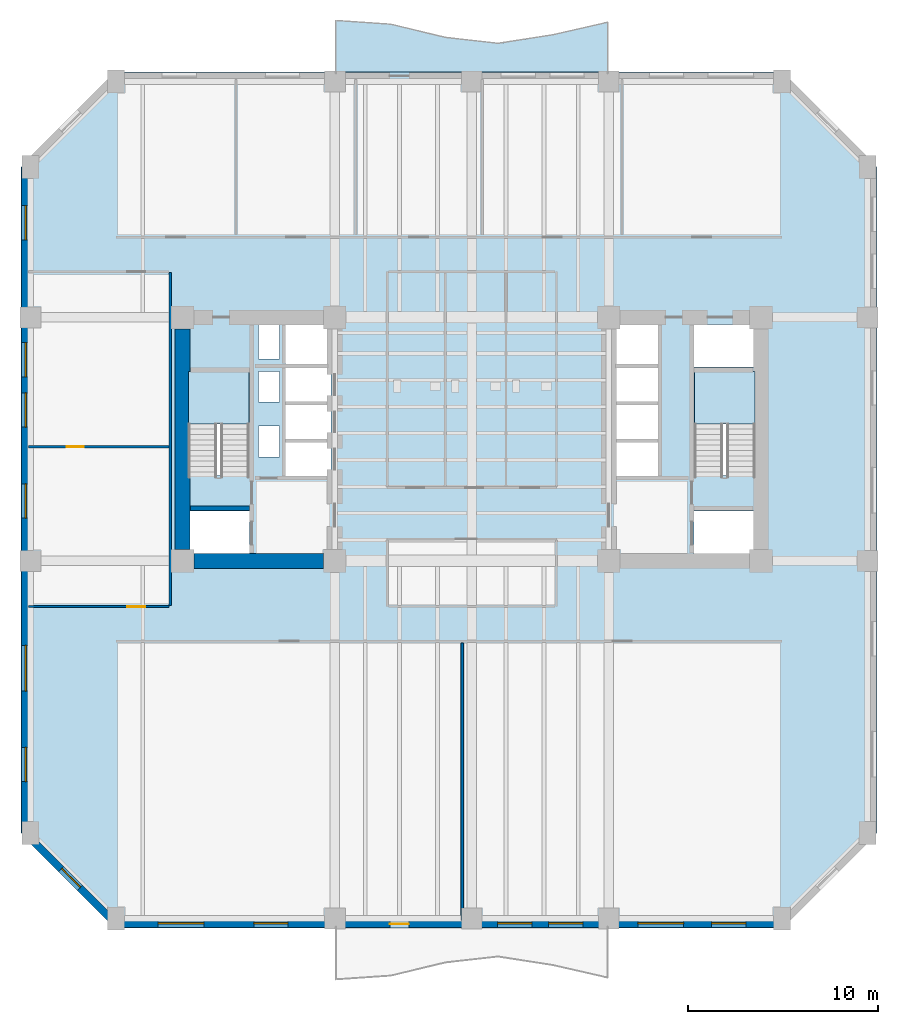
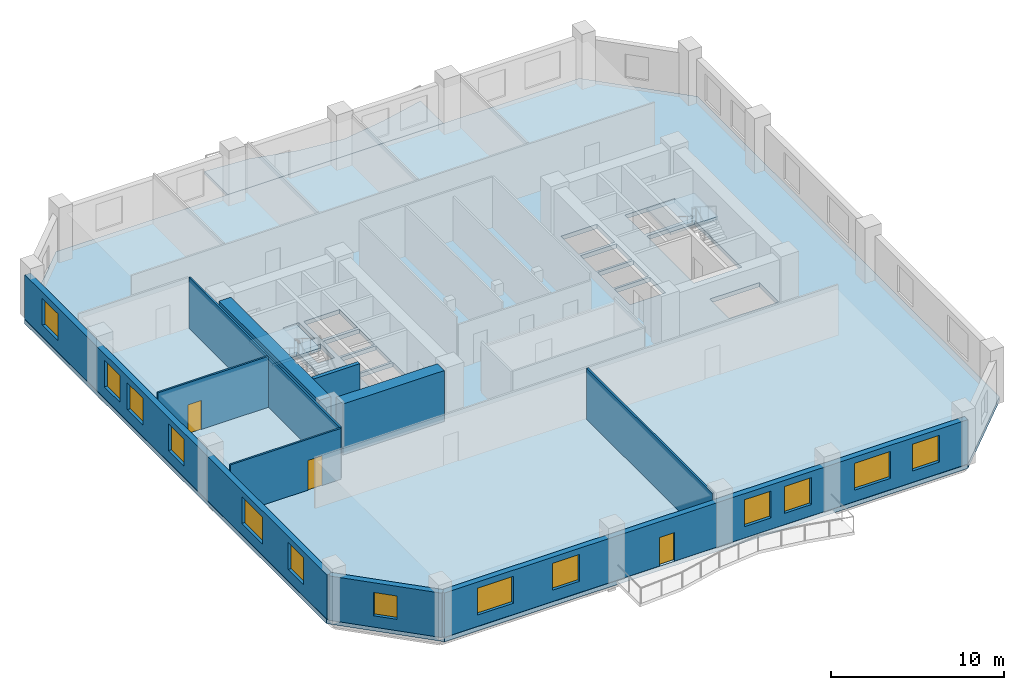
# One storey, part 2 of 9: 13 windows, 10 walls, 4 slabs, 3 doors, 16 openings, 2 elements without a shape of their own.
"""IFC4 building model written with IfcOpenShell, lengths in metres."""

from ifc_helpers import new_model, si_unit, direction, frame, frame_2d, origin, place, context, subcontext, project, spatial, polyline, rectangle, outline, extrude, material, layer, layer_set, type_object, element, fill, aggregate, save


model = new_model("IFC4")

# Units and contexts
model_context = context("Model", 3, precision=1e-05, world=origin(), true_north=direction((0.0, 1.0)))
body_context = subcontext(model_context, "Body", "Model", "MODEL_VIEW")
ifc_project = project(units=[si_unit("LENGTHUNIT", "METRE"), si_unit("AREAUNIT", "SQUARE_METRE"), si_unit("VOLUMEUNIT", "CUBIC_METRE"), si_unit("PLANEANGLEUNIT", "RADIAN"), si_unit("MASSUNIT", "GRAM", prefix="KILO")], contexts=[model_context])

# Site, building, storey
site_placement = place(None, origin())
site = spatial("IfcSite", under=ifc_project, at=site_placement, CompositionType="ELEMENT")
building_placement = place(site_placement, origin())
building = spatial("IfcBuilding", under=site, at=building_placement, Name="Kranthara Brick Stack", CompositionType="ELEMENT")
storey_placement = place(building_placement, frame((0.0, 0.0, 28.199951171875)))
storey = spatial("IfcBuildingStorey", under=building, at=storey_placement, Name="L06", CompositionType="ELEMENT", Elevation=28.199951171875)

# Slab
ifc_material_1 = material(Name="Concrete C45/55", Category="concrete")
ifc_layer_1 = layer(ifc_material_1, 0.219970703125)
ifc_layer_set_1 = layer_set([ifc_layer_1], Name="Concrete C45/55")
slab_type_1 = type_object("IfcSlabType", Name="SLB-BALC-220", PredefinedType="FLOOR", material=ifc_layer_set_1)
slab_1_placement = place(storey_placement, frame((0.0, 0.0, -0.219970703125)))
element("IfcSlab", 1, at=slab_1_placement, inside=storey, type_object=slab_type_1, Name="L06 North Rippling Balcony Slab", PredefinedType="FLOOR", context=body_context, shape_type="SweptSolid", body=[
    extrude(outline(polyline([(35.199951171875, 46.5), (20.800048828125, 46.5), (20.800048828125, 49.219482421875), (23.679931640625, 49.02490234375), (26.56005859375, 48.32763671875), (29.43994140625, 48.004150390625), (32.320068359375, 48.461669921875), (35.199951171875, 49.12451171875), (35.199951171875, 46.5)])), origin(), (0.0, 0.0, 1.0), 0.219970703125),
])

# Stair, slab
ifc_material_2 = material(Name="Concrete C45/55", Category="concrete")
stair_type = type_object("IfcStairType", Name="ST-CORE-22R", PredefinedType="HALF_TURN_STAIR", material=ifc_material_2)
stair_1_placement = place(storey_placement, origin())
stair_1 = element("IfcStair", 2, at=stair_1_placement, inside=storey, type_object=stair_type, Name="L06 West Core Protected Exit Stair ST01", PredefinedType="HALF_TURN_STAIR")
ifc_material_3 = material(Name="Concrete C45/55", Category="concrete")
ifc_layer_2 = layer(ifc_material_3, 0.199951171875)
ifc_layer_set_2 = layer_set([ifc_layer_2], Name="Concrete C45/55")
slab_type_2 = type_object("IfcSlabType", Name="SLB-LANDING-200", PredefinedType="LANDING", material=ifc_layer_set_2)
slab_2_placement = place(storey_placement, frame((0.0, 0.0, 1.75)))
slab_2 = element("IfcSlab", 3, at=slab_2_placement, type_object=slab_type_2, Name="ST01 landing 1", PredefinedType="LANDING", context=body_context, shape_type="SweptSolid", body=[
    extrude(outline(polyline([(16.300048828125, 28.0), (16.300048828125, 30.75), (13.10009765625, 30.75), (13.10009765625, 28.0), (16.300048828125, 28.0)])), origin(), (0.0, 0.0, 1.0), 0.199951171875),
])
aggregate(stair_1, [slab_2])

stair_2_placement = place(storey_placement, origin())
stair_2 = element("IfcStair", 4, at=stair_2_placement, inside=storey, type_object=stair_type, Name="L06 East Core Protected Exit Stair ST02", PredefinedType="HALF_TURN_STAIR")
slab_3_placement = place(storey_placement, frame((0.0, 0.0, 1.75)))
slab_3 = element("IfcSlab", 5, at=slab_3_placement, type_object=slab_type_2, Name="ST02 landing 1", PredefinedType="LANDING", context=body_context, shape_type="SweptSolid", body=[
    extrude(outline(polyline([(42.89990234375, 28.0), (42.89990234375, 30.75), (39.699951171875, 30.75), (39.699951171875, 28.0), (42.89990234375, 28.0)])), origin(), (0.0, 0.0, 1.0), 0.199951171875),
])
aggregate(stair_2, [slab_3])

# Slab
ifc_material_4 = material(Name="Post-tensioned concrete C45/55", Category="concrete")
ifc_layer_3 = layer(ifc_material_4, 0.300048828125)
ifc_layer_set_3 = layer_set([ifc_layer_3], Name="Post-tensioned concrete C45/55")
slab_type_3 = type_object("IfcSlabType", Name="SLB-TWR-300", PredefinedType="FLOOR", material=ifc_layer_set_3)
slab_4_placement = place(storey_placement, frame((0.0, 0.0, -0.300048828125)))
element("IfcSlab", 6, at=slab_4_placement, inside=storey, type_object=slab_type_3, Name="L06 Structural Floor Plate", PredefinedType="FLOOR", context=body_context, shape_type="SweptSolid", body=[
    extrude(outline(polyline([(9.300048828125, 1.5), (44.300048828125, 1.5), (49.300048828125, 6.5), (49.300048828125, 41.5), (44.300048828125, 46.5), (9.300048828125, 46.5), (4.300048828125, 41.5), (4.300048828125, 6.5), (9.300048828125, 1.5)]), holes=[polyline([(13.10009765625, 25.280029296875), (16.300048828125, 25.280029296875), (16.300048828125, 30.75), (13.10009765625, 30.75), (13.10009765625, 25.280029296875)]), polyline([(39.699951171875, 25.280029296875), (42.89990234375, 25.280029296875), (42.89990234375, 30.75), (39.699951171875, 30.75), (39.699951171875, 25.280029296875)]), polyline([(13.0, 21.179931640625), (16.320068359375, 21.179931640625), (16.320068359375, 23.419921875), (13.0, 23.419921875), (13.0, 21.179931640625)]), polyline([(39.679931640625, 21.179931640625), (43.0, 21.179931640625), (43.0, 23.419921875), (39.679931640625, 23.419921875), (39.679931640625, 21.179931640625)]), polyline([(39.679931640625, 30.97998046875), (43.0, 30.97998046875), (43.0, 33.219970703125), (39.679931640625, 33.219970703125), (39.679931640625, 30.97998046875)]), polyline([(18.199951171875, 25.25), (20.60009765625, 25.25), (20.60009765625, 27.050048828125), (18.199951171875, 27.050048828125), (18.199951171875, 25.25)]), polyline([(18.199951171875, 27.199951171875), (20.60009765625, 27.199951171875), (20.60009765625, 29.0), (18.199951171875, 29.0), (18.199951171875, 27.199951171875)]), polyline([(18.199951171875, 29.14990234375), (20.60009765625, 29.14990234375), (20.60009765625, 30.949951171875), (18.199951171875, 30.949951171875), (18.199951171875, 29.14990234375)]), polyline([(35.39990234375, 25.25), (37.800048828125, 25.25), (37.800048828125, 27.050048828125), (35.39990234375, 27.050048828125), (35.39990234375, 25.25)]), polyline([(35.39990234375, 27.199951171875), (37.800048828125, 27.199951171875), (37.800048828125, 29.0), (35.39990234375, 29.0), (35.39990234375, 27.199951171875)]), polyline([(35.39990234375, 29.14990234375), (37.800048828125, 29.14990234375), (37.800048828125, 30.949951171875), (35.39990234375, 30.949951171875), (35.39990234375, 29.14990234375)]), polyline([(18.199951171875, 31.14990234375), (20.60009765625, 31.14990234375), (20.60009765625, 33.219970703125), (18.199951171875, 33.219970703125), (18.199951171875, 31.14990234375)]), polyline([(35.39990234375, 31.14990234375), (37.800048828125, 31.14990234375), (37.800048828125, 33.219970703125), (35.39990234375, 33.219970703125), (35.39990234375, 31.14990234375)]), polyline([(16.800048828125, 26.25), (17.89990234375, 26.25), (17.89990234375, 27.89990234375), (16.800048828125, 27.89990234375), (16.800048828125, 26.25)]), polyline([(16.800048828125, 29.14990234375), (17.89990234375, 29.14990234375), (17.89990234375, 30.75), (16.800048828125, 30.75), (16.800048828125, 29.14990234375)]), polyline([(16.800048828125, 31.39990234375), (17.89990234375, 31.39990234375), (17.89990234375, 33.25), (16.800048828125, 33.25), (16.800048828125, 31.39990234375)])]), origin(), (0.0, 0.0, 1.0), 0.300048828125),
])

# Wall, openings, door, windows
ifc_material_5 = material(Name="Kiln-fired clay brick masonry M15", Category="masonry")
ifc_layer_4 = layer(ifc_material_5, 0.3798828125)
ifc_layer_set_4 = layer_set([ifc_layer_4], Name="Kiln-fired clay brick masonry M15")
wall_type_1 = type_object("IfcWallType", Name="WL-BRK-PIER-380", PredefinedType="STANDARD", material=ifc_layer_set_4)
wall_1_placement = place(storey_placement, frame((44.300048828125, 1.7099609375, 0.0), z_axis=(0.0, 0.0, 1.0), x_axis=(-1.0, 0.0, 0.0)))
wall_1 = element("IfcWall", 7, at=wall_1_placement, inside=storey, type_object=wall_type_1, Name="L06 Exterior Brick Facade Wall SOUTH 1", PredefinedType="STANDARD", context=body_context, shape_type="SweptSolid", body=[
    extrude(rectangle(XDim=35.0, YDim=0.3798828125, at=frame_2d((17.5, 0.0))), origin(), (0.0, 0.0, 1.0), 3.135009765625),
])
opening_1_placement = place(wall_1_placement, frame((19.60009765625, 0.0, 0.0)))
opening_1 = element("IfcOpeningElement", 8, at=opening_1_placement, cuts=wall_1, Name="Opening D03", PredefinedType="OPENING", context=body_context, shape_type="SweptSolid", body=[
    extrude(rectangle(XDim=1.0, YDim=2.02001953125, at=frame_2d((0.5, 1.010009765625))), frame((0.0, 0.199951171875, 0.0), z_axis=(0.0, -1.0, 0.0), x_axis=(1.0, 0.0, 0.0)), (0.0, 0.0, 1.0), 0.39990234375),
])
opening_2_placement = place(wall_1_placement, frame((1.886962890625, 0.0, 0.800048828125)))
opening_2 = element("IfcOpeningElement", 9, at=opening_2_placement, cuts=wall_1, Name="Opening WN01", PredefinedType="OPENING", context=body_context, shape_type="SweptSolid", body=[
    extrude(rectangle(XDim=1.800048828125, YDim=1.89990234375, at=frame_2d((0.89990234375, 0.949951171875))), frame((0.0, 0.199951171875, 0.0), z_axis=(0.0, -1.0, 0.0), x_axis=(1.0, 0.0, 0.0)), (0.0, 0.0, 1.0), 0.39990234375),
])
opening_3_placement = place(wall_1_placement, frame((5.1630859375, 0.0, 0.800048828125)))
opening_3 = element("IfcOpeningElement", 10, at=opening_3_placement, cuts=wall_1, Name="Opening WN02", PredefinedType="OPENING", context=body_context, shape_type="SweptSolid", body=[
    extrude(rectangle(XDim=2.39990234375, YDim=1.89990234375, at=frame_2d((1.199951171875, 0.949951171875))), frame((0.0, 0.199951171875, 0.0), z_axis=(0.0, -1.0, 0.0), x_axis=(1.0, 0.0, 0.0)), (0.0, 0.0, 1.0), 0.39990234375),
])
opening_4_placement = place(wall_1_placement, frame((10.4560546875, 0.0, 0.800048828125)))
opening_4 = element("IfcOpeningElement", 11, at=opening_4_placement, cuts=wall_1, Name="Opening WN01", PredefinedType="OPENING", context=body_context, shape_type="SweptSolid", body=[
    extrude(rectangle(XDim=1.800048828125, YDim=1.89990234375, at=frame_2d((0.89990234375, 0.949951171875))), frame((0.0, 0.199951171875, 0.0), z_axis=(0.0, -1.0, 0.0), x_axis=(1.0, 0.0, 0.0)), (0.0, 0.0, 1.0), 0.39990234375),
])
opening_5_placement = place(wall_1_placement, frame((13.14404296875, 0.0, 0.800048828125)))
opening_5 = element("IfcOpeningElement", 12, at=opening_5_placement, cuts=wall_1, Name="Opening WN01", PredefinedType="OPENING", context=body_context, shape_type="SweptSolid", body=[
    extrude(rectangle(XDim=1.800048828125, YDim=1.89990234375, at=frame_2d((0.89990234375, 0.949951171875))), frame((0.0, 0.199951171875, 0.0), z_axis=(0.0, -1.0, 0.0), x_axis=(1.0, 0.0, 0.0)), (0.0, 0.0, 1.0), 0.39990234375),
])
opening_6_placement = place(wall_1_placement, frame((25.9609375, 0.0, 0.800048828125)))
opening_6 = element("IfcOpeningElement", 13, at=opening_6_placement, cuts=wall_1, Name="Opening WN01", PredefinedType="OPENING", context=body_context, shape_type="SweptSolid", body=[
    extrude(rectangle(XDim=1.800048828125, YDim=1.89990234375, at=frame_2d((0.89990234375, 0.949951171875))), frame((0.0, 0.199951171875, 0.0), z_axis=(0.0, -1.0, 0.0), x_axis=(1.0, 0.0, 0.0)), (0.0, 0.0, 1.0), 0.39990234375),
])
opening_7_placement = place(wall_1_placement, frame((30.388916015625, 0.0, 0.800048828125)))
opening_7 = element("IfcOpeningElement", 14, at=opening_7_placement, cuts=wall_1, Name="Opening WN02", PredefinedType="OPENING", context=body_context, shape_type="SweptSolid", body=[
    extrude(rectangle(XDim=2.39990234375, YDim=1.89990234375, at=frame_2d((1.199951171875, 0.949951171875))), frame((0.0, 0.199951171875, 0.0), z_axis=(0.0, -1.0, 0.0), x_axis=(1.0, 0.0, 0.0)), (0.0, 0.0, 1.0), 0.39990234375),
])
ifc_material_6 = material(Name="Bronze anodised aluminium and laminated glass", Category="aluminium")
door_type_1 = type_object("IfcDoorType", Name="DR-BALC-1000", OperationType="NOTDEFINED", PredefinedType="DOOR", material=ifc_material_6)
door_1_placement = place(opening_1_placement, origin())
door_1 = element("IfcDoor", 15, at=door_1_placement, inside=storey, type_object=door_type_1, Name="L06 South Balcony Terrace Door", OperationType="SINGLE_SWING_LEFT", OverallHeight=2.02001953125, OverallWidth=1.0, PredefinedType="DOOR", context=body_context, shape_type="SweptSolid", body=[
    extrude(rectangle(XDim=1.0, YDim=2.02001953125, at=frame_2d((0.5, 1.010009765625))), frame((0.0, 0.02490234375, 0.0), z_axis=(0.0, -1.0, 0.0), x_axis=(1.0, 0.0, 0.0)), (0.0, 0.0, 1.0), 0.050048828125),
])
fill(opening_1, door_1)
ifc_material_7 = material(Name="Double-glazed low-E solar control glass", Category="glass")
window_type_1 = type_object("IfcWindowType", Name="WN-OFF-1800x2000", PartitioningType="SINGLE_PANEL", PredefinedType="WINDOW", material=ifc_material_7)
window_1_placement = place(opening_2_placement, origin())
window_1 = element("IfcWindow", 16, at=window_1_placement, inside=storey, type_object=window_type_1, Name="L06 South Deep-Set Brick Window 01", OverallHeight=1.89990234375, OverallWidth=1.800048828125, PartitioningType="SINGLE_PANEL", PredefinedType="WINDOW", context=body_context, shape_type="SweptSolid", body=[
    extrude(rectangle(XDim=1.800048828125, YDim=1.89990234375, at=frame_2d((0.89990234375, 0.949951171875))), frame((0.0, -0.010009765625, 0.0), z_axis=(0.0, -1.0, 0.0), x_axis=(1.0, 0.0, 0.0)), (0.0, 0.0, 1.0), 0.06005859375),
])
fill(opening_2, window_1)
window_2_placement = place(opening_4_placement, origin())
window_2 = element("IfcWindow", 17, at=window_2_placement, inside=storey, type_object=window_type_1, Name="L06 South Deep-Set Brick Window 03", OverallHeight=1.89990234375, OverallWidth=1.800048828125, PartitioningType="SINGLE_PANEL", PredefinedType="WINDOW", context=body_context, shape_type="SweptSolid", body=[
    extrude(rectangle(XDim=1.800048828125, YDim=1.89990234375, at=frame_2d((0.89990234375, 0.949951171875))), frame((0.0, -0.010009765625, 0.0), z_axis=(0.0, -1.0, 0.0), x_axis=(1.0, 0.0, 0.0)), (0.0, 0.0, 1.0), 0.06005859375),
])
fill(opening_4, window_2)
window_3_placement = place(opening_5_placement, origin())
window_3 = element("IfcWindow", 18, at=window_3_placement, inside=storey, type_object=window_type_1, Name="L06 South Deep-Set Brick Window 04", OverallHeight=1.89990234375, OverallWidth=1.800048828125, PartitioningType="SINGLE_PANEL", PredefinedType="WINDOW", context=body_context, shape_type="SweptSolid", body=[
    extrude(rectangle(XDim=1.800048828125, YDim=1.89990234375, at=frame_2d((0.89990234375, 0.949951171875))), frame((0.0, -0.010009765625, 0.0), z_axis=(0.0, -1.0, 0.0), x_axis=(1.0, 0.0, 0.0)), (0.0, 0.0, 1.0), 0.06005859375),
])
fill(opening_5, window_3)
window_4_placement = place(opening_6_placement, origin())
window_4 = element("IfcWindow", 19, at=window_4_placement, inside=storey, type_object=window_type_1, Name="L06 South Deep-Set Brick Window 05", OverallHeight=1.89990234375, OverallWidth=1.800048828125, PartitioningType="SINGLE_PANEL", PredefinedType="WINDOW", context=body_context, shape_type="SweptSolid", body=[
    extrude(rectangle(XDim=1.800048828125, YDim=1.89990234375, at=frame_2d((0.89990234375, 0.949951171875))), frame((0.0, -0.010009765625, 0.0), z_axis=(0.0, -1.0, 0.0), x_axis=(1.0, 0.0, 0.0)), (0.0, 0.0, 1.0), 0.06005859375),
])
fill(opening_6, window_4)
ifc_material_8 = material(Name="Double-glazed low-E solar control glass", Category="glass")
window_type_2 = type_object("IfcWindowType", Name="WN-OFF-2400x2000", PartitioningType="DOUBLE_PANEL_VERTICAL", PredefinedType="WINDOW", material=ifc_material_8)
window_5_placement = place(opening_3_placement, origin())
window_5 = element("IfcWindow", 20, at=window_5_placement, inside=storey, type_object=window_type_2, Name="L06 South Deep-Set Brick Window 02", OverallHeight=1.89990234375, OverallWidth=2.39990234375, PartitioningType="SINGLE_PANEL", PredefinedType="WINDOW", context=body_context, shape_type="SweptSolid", body=[
    extrude(rectangle(XDim=2.39990234375, YDim=1.89990234375, at=frame_2d((1.199951171875, 0.949951171875))), frame((0.0, -0.010009765625, 0.0), z_axis=(0.0, -1.0, 0.0), x_axis=(1.0, 0.0, 0.0)), (0.0, 0.0, 1.0), 0.06005859375),
])
fill(opening_3, window_5)
window_6_placement = place(opening_7_placement, origin())
window_6 = element("IfcWindow", 21, at=window_6_placement, inside=storey, type_object=window_type_2, Name="L06 South Deep-Set Brick Window 06", OverallHeight=1.89990234375, OverallWidth=2.39990234375, PartitioningType="SINGLE_PANEL", PredefinedType="WINDOW", context=body_context, shape_type="SweptSolid", body=[
    extrude(rectangle(XDim=2.39990234375, YDim=1.89990234375, at=frame_2d((1.199951171875, 0.949951171875))), frame((0.0, -0.010009765625, 0.0), z_axis=(0.0, -1.0, 0.0), x_axis=(1.0, 0.0, 0.0)), (0.0, 0.0, 1.0), 0.06005859375),
])
fill(opening_7, window_6)

# Wall, opening, window
wall_2_placement = place(storey_placement, frame((9.300048828125, 1.7099609375, 0.0), z_axis=(0.0, 0.0, 1.0), x_axis=(-0.707106781187, 0.707106781187, 0.0)))
wall_2 = element("IfcWall", 22, at=wall_2_placement, inside=storey, type_object=wall_type_1, Name="L06 Exterior Brick Facade Wall SW 1", PredefinedType="STANDARD", context=body_context, shape_type="SweptSolid", body=[
    extrude(rectangle(XDim=6.774169921875, YDim=0.3798828125, at=frame_2d((3.38720703125, 0.0))), origin(), (0.0, 0.0, 1.0), 3.135009765625),
])
opening_8_placement = place(wall_2_placement, frame((2.68701171875, 0.0, 0.800048828125)))
opening_8 = element("IfcOpeningElement", 23, at=opening_8_placement, cuts=wall_2, Name="Opening WN10", PredefinedType="OPENING", context=body_context, shape_type="SweptSolid", body=[
    extrude(rectangle(XDim=1.39990234375, YDim=1.64990234375, at=frame_2d((0.699951171875, 0.824951171875))), frame((0.0, 0.199951171875, 0.0), z_axis=(0.0, -1.0, 0.0), x_axis=(1.0, 0.0, 0.0)), (0.0, 0.0, 1.0), 0.39990234375),
])
ifc_material_9 = material(Name="Double-glazed low-E solar control glass", Category="glass")
window_type_3 = type_object("IfcWindowType", Name="WN-CHM-1400x1750", PartitioningType="SINGLE_PANEL", PredefinedType="WINDOW", material=ifc_material_9)
window_7_placement = place(opening_8_placement, origin())
window_7 = element("IfcWindow", 24, at=window_7_placement, inside=storey, type_object=window_type_3, Name="L06 SW Chamfer Corner Window", OverallHeight=1.64990234375, OverallWidth=1.39990234375, PartitioningType="SINGLE_PANEL", PredefinedType="WINDOW", context=body_context, shape_type="SweptSolid", body=[
    extrude(rectangle(XDim=1.39990234375, YDim=1.64990234375, at=frame_2d((0.699951171875, 0.824951171875))), frame((0.0, -0.010009765625, 0.0), z_axis=(0.0, -1.0, 0.0), x_axis=(1.0, 0.0, 0.0)), (0.0, 0.0, 1.0), 0.06005859375),
])
fill(opening_8, window_7)

# Wall, openings, windows
wall_3_placement = place(storey_placement, frame((4.510009765625, 6.5, 0.0), z_axis=(0.0, 0.0, 1.0), x_axis=(0.0, 1.0, 0.0)))
wall_3 = element("IfcWall", 25, at=wall_3_placement, inside=storey, type_object=wall_type_1, Name="L06 Exterior Brick Facade Wall WEST 1", PredefinedType="STANDARD", context=body_context, shape_type="SweptSolid", body=[
    extrude(rectangle(XDim=35.0, YDim=0.3798828125, at=frame_2d((17.5, 0.0))), origin(), (0.0, 0.0, 1.0), 3.135009765625),
])
opening_9_placement = place(wall_3_placement, frame((2.693115234375, 0.0, 0.800048828125)))
opening_9 = element("IfcOpeningElement", 26, at=opening_9_placement, cuts=wall_3, Name="Opening WN01", PredefinedType="OPENING", context=body_context, shape_type="SweptSolid", body=[
    extrude(rectangle(XDim=1.800048828125, YDim=1.89990234375, at=frame_2d((0.89990234375, 0.949951171875))), frame((0.0, 0.199951171875, 0.0), z_axis=(0.0, -1.0, 0.0), x_axis=(1.0, 0.0, 0.0)), (0.0, 0.0, 1.0), 0.39990234375),
])
opening_10_placement = place(wall_3_placement, frame((7.45703125, 0.0, 0.800048828125)))
opening_10 = element("IfcOpeningElement", 27, at=opening_10_placement, cuts=wall_3, Name="Opening WN02", PredefinedType="OPENING", context=body_context, shape_type="SweptSolid", body=[
    extrude(rectangle(XDim=2.39990234375, YDim=1.89990234375, at=frame_2d((1.199951171875, 0.949951171875))), frame((0.0, 0.199951171875, 0.0), z_axis=(0.0, -1.0, 0.0), x_axis=(1.0, 0.0, 0.0)), (0.0, 0.0, 1.0), 0.39990234375),
])
opening_11_placement = place(wall_3_placement, frame((16.550048828125, 0.0, 0.800048828125)))
opening_11 = element("IfcOpeningElement", 28, at=opening_11_placement, cuts=wall_3, Name="Opening WN01", PredefinedType="OPENING", context=body_context, shape_type="SweptSolid", body=[
    extrude(rectangle(XDim=1.800048828125, YDim=1.89990234375, at=frame_2d((0.89990234375, 0.949951171875))), frame((0.0, 0.199951171875, 0.0), z_axis=(0.0, -1.0, 0.0), x_axis=(1.0, 0.0, 0.0)), (0.0, 0.0, 1.0), 0.39990234375),
])
opening_12_placement = place(wall_3_placement, frame((21.330078125, 0.0, 0.800048828125)))
opening_12 = element("IfcOpeningElement", 29, at=opening_12_placement, cuts=wall_3, Name="Opening WN01", PredefinedType="OPENING", context=body_context, shape_type="SweptSolid", body=[
    extrude(rectangle(XDim=1.800048828125, YDim=1.89990234375, at=frame_2d((0.89990234375, 0.949951171875))), frame((0.0, 0.199951171875, 0.0), z_axis=(0.0, -1.0, 0.0), x_axis=(1.0, 0.0, 0.0)), (0.0, 0.0, 1.0), 0.39990234375),
])
opening_13_placement = place(wall_3_placement, frame((23.969970703125, 0.0, 0.800048828125)))
opening_13 = element("IfcOpeningElement", 30, at=opening_13_placement, cuts=wall_3, Name="Opening WN01", PredefinedType="OPENING", context=body_context, shape_type="SweptSolid", body=[
    extrude(rectangle(XDim=1.800048828125, YDim=1.89990234375, at=frame_2d((0.89990234375, 0.949951171875))), frame((0.0, 0.199951171875, 0.0), z_axis=(0.0, -1.0, 0.0), x_axis=(1.0, 0.0, 0.0)), (0.0, 0.0, 1.0), 0.39990234375),
])
opening_14_placement = place(wall_3_placement, frame((31.175048828125, 0.0, 0.800048828125)))
opening_14 = element("IfcOpeningElement", 31, at=opening_14_placement, cuts=wall_3, Name="Opening WN01", PredefinedType="OPENING", context=body_context, shape_type="SweptSolid", body=[
    extrude(rectangle(XDim=1.800048828125, YDim=1.89990234375, at=frame_2d((0.89990234375, 0.949951171875))), frame((0.0, 0.199951171875, 0.0), z_axis=(0.0, -1.0, 0.0), x_axis=(1.0, 0.0, 0.0)), (0.0, 0.0, 1.0), 0.39990234375),
])
window_8_placement = place(opening_9_placement, origin())
window_8 = element("IfcWindow", 32, at=window_8_placement, inside=storey, type_object=window_type_1, Name="L06 West Deep-Set Brick Window 01", OverallHeight=1.89990234375, OverallWidth=1.800048828125, PartitioningType="SINGLE_PANEL", PredefinedType="WINDOW", context=body_context, shape_type="SweptSolid", body=[
    extrude(rectangle(XDim=1.800048828125, YDim=1.89990234375, at=frame_2d((0.89990234375, 0.949951171875))), frame((0.0, -0.010009765625, 0.0), z_axis=(0.0, -1.0, 0.0), x_axis=(1.0, 0.0, 0.0)), (0.0, 0.0, 1.0), 0.06005859375),
])
fill(opening_9, window_8)
window_9_placement = place(opening_11_placement, origin())
window_9 = element("IfcWindow", 33, at=window_9_placement, inside=storey, type_object=window_type_1, Name="L06 West Deep-Set Brick Window 03", OverallHeight=1.89990234375, OverallWidth=1.800048828125, PartitioningType="SINGLE_PANEL", PredefinedType="WINDOW", context=body_context, shape_type="SweptSolid", body=[
    extrude(rectangle(XDim=1.800048828125, YDim=1.89990234375, at=frame_2d((0.89990234375, 0.949951171875))), frame((0.0, -0.010009765625, 0.0), z_axis=(0.0, -1.0, 0.0), x_axis=(1.0, 0.0, 0.0)), (0.0, 0.0, 1.0), 0.06005859375),
])
fill(opening_11, window_9)
window_10_placement = place(opening_12_placement, origin())
window_10 = element("IfcWindow", 34, at=window_10_placement, inside=storey, type_object=window_type_1, Name="L06 West Deep-Set Brick Window 04", OverallHeight=1.89990234375, OverallWidth=1.800048828125, PartitioningType="SINGLE_PANEL", PredefinedType="WINDOW", context=body_context, shape_type="SweptSolid", body=[
    extrude(rectangle(XDim=1.800048828125, YDim=1.89990234375, at=frame_2d((0.89990234375, 0.949951171875))), frame((0.0, -0.010009765625, 0.0), z_axis=(0.0, -1.0, 0.0), x_axis=(1.0, 0.0, 0.0)), (0.0, 0.0, 1.0), 0.06005859375),
])
fill(opening_12, window_10)
window_11_placement = place(opening_13_placement, origin())
window_11 = element("IfcWindow", 35, at=window_11_placement, inside=storey, type_object=window_type_1, Name="L06 West Deep-Set Brick Window 05", OverallHeight=1.89990234375, OverallWidth=1.800048828125, PartitioningType="SINGLE_PANEL", PredefinedType="WINDOW", context=body_context, shape_type="SweptSolid", body=[
    extrude(rectangle(XDim=1.800048828125, YDim=1.89990234375, at=frame_2d((0.89990234375, 0.949951171875))), frame((0.0, -0.010009765625, 0.0), z_axis=(0.0, -1.0, 0.0), x_axis=(1.0, 0.0, 0.0)), (0.0, 0.0, 1.0), 0.06005859375),
])
fill(opening_13, window_11)
window_12_placement = place(opening_14_placement, origin())
window_12 = element("IfcWindow", 36, at=window_12_placement, inside=storey, type_object=window_type_1, Name="L06 West Deep-Set Brick Window 06", OverallHeight=1.89990234375, OverallWidth=1.800048828125, PartitioningType="SINGLE_PANEL", PredefinedType="WINDOW", context=body_context, shape_type="SweptSolid", body=[
    extrude(rectangle(XDim=1.800048828125, YDim=1.89990234375, at=frame_2d((0.89990234375, 0.949951171875))), frame((0.0, -0.010009765625, 0.0), z_axis=(0.0, -1.0, 0.0), x_axis=(1.0, 0.0, 0.0)), (0.0, 0.0, 1.0), 0.06005859375),
])
fill(opening_14, window_12)
window_13_placement = place(opening_10_placement, origin())
window_13 = element("IfcWindow", 37, at=window_13_placement, inside=storey, type_object=window_type_2, Name="L06 West Deep-Set Brick Window 02", OverallHeight=1.89990234375, OverallWidth=2.39990234375, PartitioningType="SINGLE_PANEL", PredefinedType="WINDOW", context=body_context, shape_type="SweptSolid", body=[
    extrude(rectangle(XDim=2.39990234375, YDim=1.89990234375, at=frame_2d((1.199951171875, 0.949951171875))), frame((0.0, -0.010009765625, 0.0), z_axis=(0.0, -1.0, 0.0), x_axis=(1.0, 0.0, 0.0)), (0.0, 0.0, 1.0), 0.06005859375),
])
fill(opening_10, window_13)

# Walls
ifc_material_10 = material(Name="Concrete C50/60", Category="concrete")
ifc_layer_5 = layer(ifc_material_10, 0.25)
ifc_layer_set_5 = layer_set([ifc_layer_5], Name="Concrete C50/60")
wall_type_2 = type_object("IfcWallType", Name="WL-CORE-250", PredefinedType="SHEAR", material=ifc_layer_set_5)
wall_4_placement = place(storey_placement, frame((13.2099609375, 23.570068359375, 0.0), z_axis=(0.0, 0.0, 1.0), x_axis=(1.0, 0.0, 0.0)))
element("IfcWall", 38, at=wall_4_placement, inside=storey, type_object=wall_type_2, Name="L06 West Stairwell Bearing Wall WFF", PredefinedType="SHEAR", context=body_context, shape_type="SweptSolid", body=[
    extrude(rectangle(XDim=3.10009765625, YDim=0.25, at=frame_2d((1.550048828125, 0.0))), origin(), (0.0, 0.0, 1.0), 3.60009765625),
])
ifc_material_11 = material(Name="Concrete C70/85", Category="concrete")
ifc_layer_6 = layer(ifc_material_11, 0.800048828125)
ifc_layer_set_6 = layer_set([ifc_layer_6], Name="Concrete C70/85")
wall_type_3 = type_object("IfcWallType", Name="WL-CORE-800", PredefinedType="SHEAR", material=ifc_layer_set_6)
wall_5_placement = place(storey_placement, frame((12.800048828125, 21.405029296875, 0.0), z_axis=(0.0, 0.0, 1.0), x_axis=(0.0, 1.0, 0.0)))
element("IfcWall", 39, at=wall_5_placement, inside=storey, type_object=wall_type_3, Name="L06 West Core Shear Wall West", PredefinedType="SHEAR", context=body_context, shape_type="SweptSolid", body=[
    extrude(rectangle(XDim=11.590087890625, YDim=0.800048828125, at=frame_2d((5.794921875, 0.0))), origin(), (0.0, 0.0, 1.0), 3.60009765625),
])
wall_6_placement = place(storey_placement, frame((13.405029296875, 20.800048828125, 0.0), z_axis=(0.0, 0.0, 1.0), x_axis=(1.0, 0.0, 0.0)))
element("IfcWall", 40, at=wall_6_placement, inside=storey, type_object=wall_type_3, Name="L06 West Core Shear Wall South", PredefinedType="SHEAR", context=body_context, shape_type="SweptSolid", body=[
    extrude(rectangle(XDim=6.7900390625, YDim=0.800048828125, at=frame_2d((3.39501953125, 0.0))), origin(), (0.0, 0.0, 1.0), 3.60009765625),
])
ifc_material_12 = material(Name="Acoustic gypsum plasterboard partition", Category="other")
ifc_layer_7 = layer(ifc_material_12, 0.1201171875)
ifc_layer_set_7 = layer_set([ifc_layer_7], Name="Acoustic gypsum plasterboard partition")
wall_type_4 = type_object("IfcWallType", Name="WL-PART-120", PredefinedType="PARTITIONING", material=ifc_layer_set_7)
wall_7_placement = place(storey_placement, frame((27.5, 1.905029296875, 0.0), z_axis=(0.0, 0.0, 1.0), x_axis=(0.0, 1.0, 0.0)))
element("IfcWall", 41, at=wall_7_placement, inside=storey, type_object=wall_type_4, Name="L06 Interior Partition 012", PredefinedType="PARTITIONING", context=body_context, shape_type="SweptSolid", body=[
    extrude(rectangle(XDim=14.574951171875, YDim=0.1201171875, at=frame_2d((7.28759765625, 0.0))), origin(), (0.0, 0.0, 1.0), 3.60009765625),
])
wall_8_placement = place(storey_placement, frame((12.14990234375, 18.449951171875, 0.0), z_axis=(0.0, 0.0, 1.0), x_axis=(0.0, 1.0, 0.0)))
element("IfcWall", 42, at=wall_8_placement, inside=storey, type_object=wall_type_4, Name="L06 Interior Partition 018", PredefinedType="PARTITIONING", context=body_context, shape_type="SweptSolid", body=[
    extrude(rectangle(XDim=17.5, YDim=0.1201171875, at=frame_2d((8.75, 0.0))), origin(), (0.0, 0.0, 1.0), 3.60009765625),
])

# Wall, opening, door
wall_9_placement = place(storey_placement, frame((4.705078125, 18.39990234375, 0.0), z_axis=(0.0, 0.0, 1.0), x_axis=(1.0, 0.0, 0.0)))
wall_9 = element("IfcWall", 43, at=wall_9_placement, inside=storey, type_object=wall_type_4, Name="L06 Interior Partition 019", PredefinedType="PARTITIONING", context=body_context, shape_type="SweptSolid", body=[
    extrude(rectangle(XDim=7.3798828125, YDim=0.1201171875, at=frame_2d((3.68994140625, 0.0))), origin(), (0.0, 0.0, 1.0), 3.60009765625),
])
opening_15_placement = place(wall_9_placement, frame((5.179931640625, 0.0, 0.0)))
opening_15 = element("IfcOpeningElement", 44, at=opening_15_placement, cuts=wall_9, Name="Opening D14", PredefinedType="OPENING", context=body_context, shape_type="SweptSolid", body=[
    extrude(rectangle(XDim=0.949951171875, YDim=2.10009765625, at=frame_2d((0.47509765625, 1.050048828125))), frame((0.0, 0.070068359375, 0.0), z_axis=(0.0, -1.0, 0.0), x_axis=(1.0, 0.0, 0.0)), (0.0, 0.0, 1.0), 0.14013671875),
])
ifc_material_13 = material(Name="Solid-core hardwood timber leaf in steel frame", Category="steel")
door_type_2 = type_object("IfcDoorType", Name="DR-INT-950", OperationType="NOTDEFINED", PredefinedType="DOOR", material=ifc_material_13)
door_2_placement = place(opening_15_placement, origin())
door_2 = element("IfcDoor", 45, at=door_2_placement, inside=storey, type_object=door_type_2, Name="L06 West South Office 13", OperationType="SINGLE_SWING_LEFT", OverallHeight=2.10009765625, OverallWidth=0.949951171875, PredefinedType="DOOR", context=body_context, shape_type="SweptSolid", body=[
    extrude(rectangle(XDim=0.949951171875, YDim=2.10009765625, at=frame_2d((0.47509765625, 1.050048828125))), frame((0.0, 0.02490234375, 0.0), z_axis=(0.0, -1.0, 0.0), x_axis=(1.0, 0.0, 0.0)), (0.0, 0.0, 1.0), 0.050048828125),
])
fill(opening_15, door_2)

wall_10_placement = place(storey_placement, frame((4.705078125, 26.800048828125, 0.0), z_axis=(0.0, 0.0, 1.0), x_axis=(1.0, 0.0, 0.0)))
wall_10 = element("IfcWall", 46, at=wall_10_placement, inside=storey, type_object=wall_type_4, Name="L06 Interior Partition 021", PredefinedType="PARTITIONING", context=body_context, shape_type="SweptSolid", body=[
    extrude(rectangle(XDim=7.3798828125, YDim=0.1201171875, at=frame_2d((3.68994140625, 0.0))), origin(), (0.0, 0.0, 1.0), 3.60009765625),
])
opening_16_placement = place(wall_10_placement, frame((2.0, 0.0, 0.0)))
opening_16 = element("IfcOpeningElement", 47, at=opening_16_placement, cuts=wall_10, Name="Opening D15", PredefinedType="OPENING", context=body_context, shape_type="SweptSolid", body=[
    extrude(rectangle(XDim=0.89990234375, YDim=2.050048828125, at=frame_2d((0.449951171875, 1.02490234375))), frame((0.0, 0.070068359375, 0.0), z_axis=(0.0, -1.0, 0.0), x_axis=(1.0, 0.0, 0.0)), (0.0, 0.0, 1.0), 0.14013671875),
])
ifc_material_14 = material(Name="Solid-core hardwood timber leaf in steel frame", Category="steel")
door_type_3 = type_object("IfcDoorType", Name="DR-INT-900", OperationType="NOTDEFINED", PredefinedType="DOOR", material=ifc_material_14)
door_3_placement = place(opening_16_placement, origin())
door_3 = element("IfcDoor", 48, at=door_3_placement, inside=storey, type_object=door_type_3, Name="L06 West Inner Suite Door 12", OperationType="SINGLE_SWING_RIGHT", OverallHeight=2.050048828125, OverallWidth=0.89990234375, PredefinedType="DOOR", context=body_context, shape_type="SweptSolid", body=[
    extrude(rectangle(XDim=0.89990234375, YDim=2.050048828125, at=frame_2d((0.449951171875, 1.02490234375))), frame((0.0, 0.02490234375, 0.0), z_axis=(0.0, -1.0, 0.0), x_axis=(1.0, 0.0, 0.0)), (0.0, 0.0, 1.0), 0.050048828125),
])
fill(opening_16, door_3)

save(model, "model.ifc")
